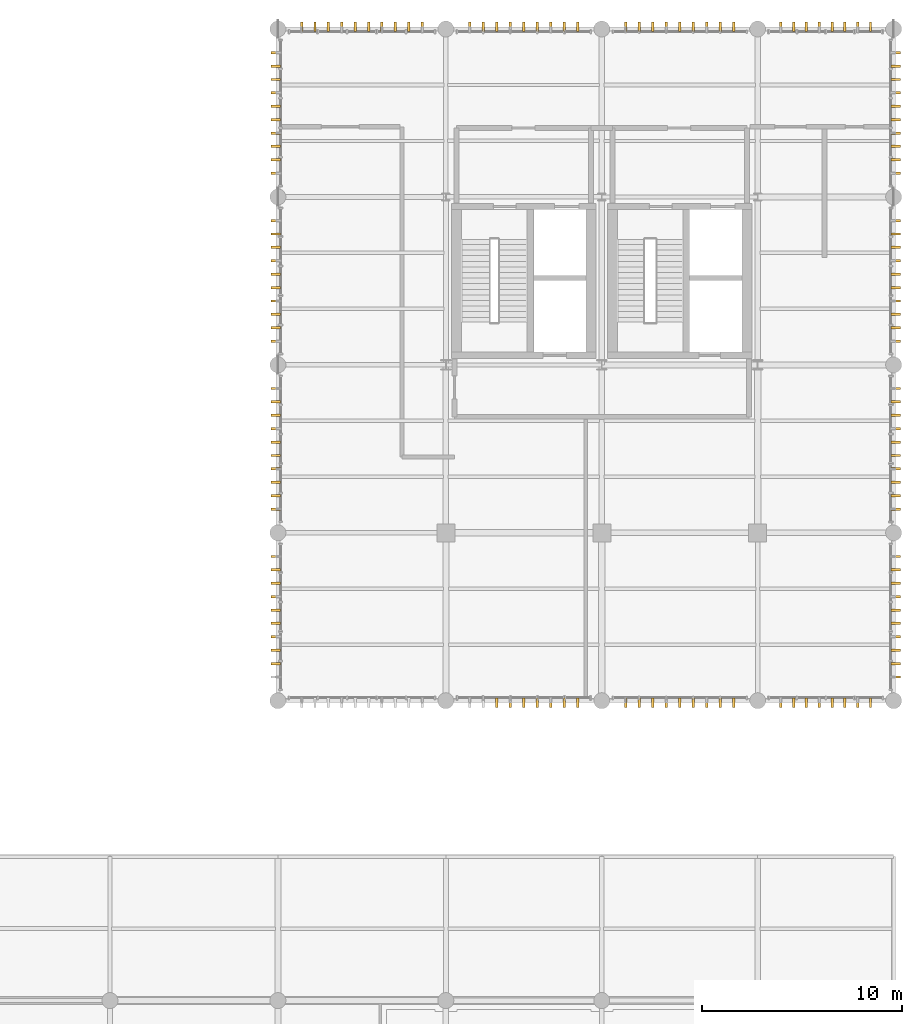
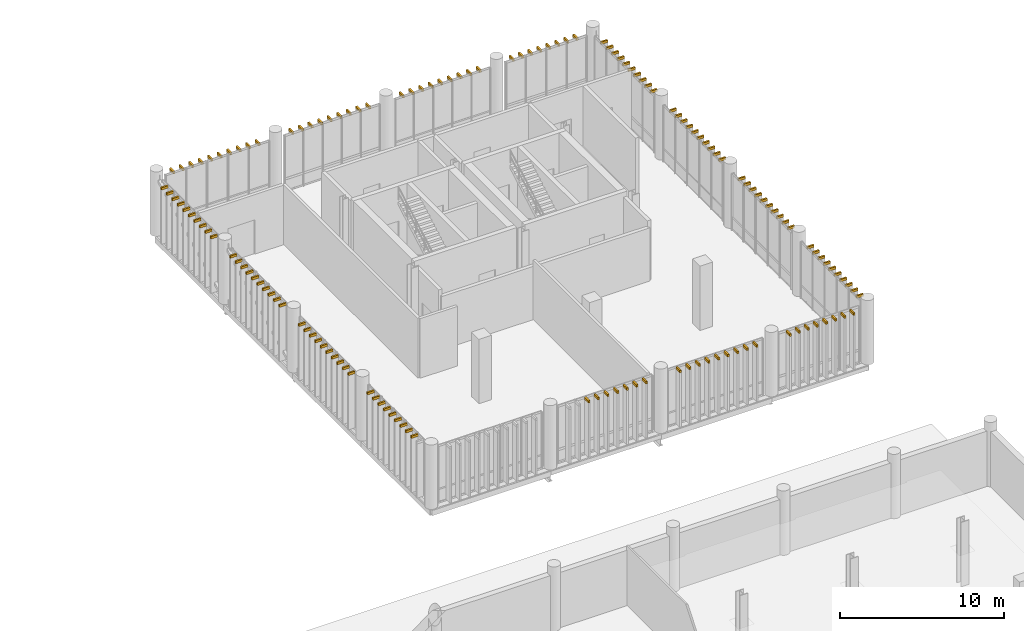
# One storey, part 109 of 109: 139 shading devices.
"""IFC4 building model written with IfcOpenShell, lengths in metres."""

from ifc_helpers import new_model, si_unit, direction, frame, origin_with_axes, origin_2d_with_axis, place, context, subcontext, project, spatial, rectangle, extrude, material, type_object, element, save


model = new_model("IFC4")

# Units and contexts
model_context = context("Model", 3, precision=1e-05, world=origin_with_axes(), true_north=direction((0.0, 1.0)))
body_context = subcontext(model_context, "Body", "Model", "MODEL_VIEW")
ifc_project = project(units=[si_unit("LENGTHUNIT", "METRE"), si_unit("AREAUNIT", "SQUARE_METRE"), si_unit("VOLUMEUNIT", "CUBIC_METRE"), si_unit("PLANEANGLEUNIT", "RADIAN"), si_unit("MASSUNIT", "GRAM", prefix="KILO"), si_unit("THERMODYNAMICTEMPERATUREUNIT", "KELVIN")], contexts=[model_context])

# Site, building, storey
site_placement = place(None, origin_with_axes())
site = spatial("IfcSite", under=ifc_project, at=site_placement, CompositionType="ELEMENT")
building_placement = place(site_placement, origin_with_axes())
building = spatial("IfcBuilding", under=site, at=building_placement, Name="Montbau Bow Law Courts", CompositionType="ELEMENT")
storey_placement = place(building_placement, frame((0.0, 0.0, 10.8), z_axis=(0.0, 0.0, 1.0), x_axis=(1.0, 0.0, 0.0)))
storey = spatial("IfcBuildingStorey", under=building, at=storey_placement, Name="L02", CompositionType="ELEMENT", Elevation=10.8)

# Shading devices
ifc_material = material(Name="Freeze-Thaw Glazed Slate-Grey Ceramic Vertical Louvre", Category="masonry")
shading_device_type = type_object("IfcShadingDeviceType", Name="SH-LVR-SLT", PredefinedType="USERDEFINED", material=ifc_material)
for number, where, z_axis, x_axis, name in (
    (1, (149.546, 69.49, 14.84), (0.0, 0.0, 1.0), (0.0, -1.0, 0.0), "LVR-L02-2610:shd_2610"),
    (2, (150.223, 69.49, 14.84), (0.0, 0.0, 1.0), (0.0, -1.0, 0.0), "LVR-L02-2611:shd_2611"),
    (3, (150.9, 69.49, 14.84), (0.0, 0.0, 1.0), (0.0, -1.0, 0.0), "LVR-L02-2612:shd_2612"),
    (4, (151.577, 69.49, 14.84), (0.0, 0.0, 1.0), (0.0, -1.0, 0.0), "LVR-L02-2613:shd_2613"),
    (5, (152.254, 69.49, 14.84), (0.0, 0.0, 1.0), (0.0, -1.0, 0.0), "LVR-L02-2614:shd_2614"),
    (6, (152.931, 69.49, 14.84), (0.0, 0.0, 1.0), (0.0, -1.0, 0.0), "LVR-L02-2615:shd_2615"),
    (7, (153.608, 69.49, 14.84), (0.0, 0.0, 1.0), (0.0, -1.0, 0.0), "LVR-L02-2616:shd_2616"),
    (8, (155.992, 69.49, 14.84), (0.0, 0.0, 1.0), (0.0, -1.0, 0.0), "LVR-L02-2617:shd_2617"),
    (9, (156.669, 69.49, 14.84), (0.0, 0.0, 1.0), (0.0, -1.0, 0.0), "LVR-L02-2618:shd_2618"),
    (10, (157.346, 69.49, 14.84), (0.0, 0.0, 1.0), (0.0, -1.0, 0.0), "LVR-L02-2619:shd_2619"),
    (11, (158.023, 69.49, 14.84), (0.0, 0.0, 1.0), (0.0, -1.0, 0.0), "LVR-L02-2620:shd_2620"),
    (12, (158.7, 69.49, 14.84), (0.0, 0.0, 1.0), (0.0, -1.0, 0.0), "LVR-L02-2621:shd_2621"),
    (13, (159.377, 69.49, 14.84), (0.0, 0.0, 1.0), (0.0, -1.0, 0.0), "LVR-L02-2622:shd_2622"),
    (14, (160.054, 69.49, 14.84), (0.0, 0.0, 1.0), (0.0, -1.0, 0.0), "LVR-L02-2623:shd_2623"),
    (15, (160.731, 69.49, 14.84), (0.0, 0.0, 1.0), (0.0, -1.0, 0.0), "LVR-L02-2624:shd_2624"),
    (16, (161.408, 69.49, 14.84), (0.0, 0.0, 1.0), (0.0, -1.0, 0.0), "LVR-L02-2625:shd_2625"),
    (17, (163.756, 69.49, 14.84), (0.0, 0.0, 1.0), (0.0, -1.0, 0.0), "LVR-L02-2626:shd_2626"),
    (18, (164.397, 69.49, 14.84), (0.0, 0.0, 1.0), (0.0, -1.0, 0.0), "LVR-L02-2627:shd_2627"),
    (19, (165.038, 69.49, 14.84), (0.0, 0.0, 1.0), (0.0, -1.0, 0.0), "LVR-L02-2628:shd_2628"),
    (20, (165.679, 69.49, 14.84), (0.0, 0.0, 1.0), (0.0, -1.0, 0.0), "LVR-L02-2629:shd_2629"),
    (21, (166.321, 69.49, 14.84), (0.0, 0.0, 1.0), (0.0, -1.0, 0.0), "LVR-L02-2630:shd_2630"),
    (22, (166.962, 69.49, 14.84), (0.0, 0.0, 1.0), (0.0, -1.0, 0.0), "LVR-L02-2631:shd_2631"),
    (23, (167.603, 69.49, 14.84), (0.0, 0.0, 1.0), (0.0, -1.0, 0.0), "LVR-L02-2632:shd_2632"),
    (24, (168.244, 69.49, 14.84), (0.0, 0.0, 1.0), (0.0, -1.0, 0.0), "LVR-L02-2633:shd_2633"),
    (25, (139.785, 103.31, 14.84), (0.0, 0.0, 1.0), (0.0, 1.0, 0.0), "LVR-L02-2634:shd_2634"),
    (26, (140.455, 103.31, 14.84), (0.0, 0.0, 1.0), (0.0, 1.0, 0.0), "LVR-L02-2635:shd_2635"),
    (27, (141.125, 103.31, 14.84), (0.0, 0.0, 1.0), (0.0, 1.0, 0.0), "LVR-L02-2636:shd_2636"),
    (28, (141.795, 103.31, 14.84), (0.0, 0.0, 1.0), (0.0, 1.0, 0.0), "LVR-L02-2637:shd_2637"),
    (29, (142.465, 103.31, 14.84), (0.0, 0.0, 1.0), (0.0, 1.0, 0.0), "LVR-L02-2638:shd_2638"),
    (30, (143.135, 103.31, 14.84), (0.0, 0.0, 1.0), (0.0, 1.0, 0.0), "LVR-L02-2639:shd_2639"),
    (31, (143.805, 103.31, 14.84), (0.0, 0.0, 1.0), (0.0, 1.0, 0.0), "LVR-L02-2640:shd_2640"),
    (32, (144.475, 103.31, 14.84), (0.0, 0.0, 1.0), (0.0, 1.0, 0.0), "LVR-L02-2641:shd_2641"),
    (33, (145.145, 103.31, 14.84), (0.0, 0.0, 1.0), (0.0, 1.0, 0.0), "LVR-L02-2642:shd_2642"),
    (34, (145.815, 103.31, 14.84), (0.0, 0.0, 1.0), (0.0, 1.0, 0.0), "LVR-L02-2643:shd_2643"),
    (35, (148.192, 103.31, 14.84), (0.0, 0.0, 1.0), (0.0, 1.0, 0.0), "LVR-L02-2644:shd_2644"),
    (36, (148.869, 103.31, 14.84), (0.0, 0.0, 1.0), (0.0, 1.0, 0.0), "LVR-L02-2645:shd_2645"),
    (37, (149.546, 103.31, 14.84), (0.0, 0.0, 1.0), (0.0, 1.0, 0.0), "LVR-L02-2646:shd_2646"),
    (38, (150.223, 103.31, 14.84), (0.0, 0.0, 1.0), (0.0, 1.0, 0.0), "LVR-L02-2647:shd_2647"),
    (39, (150.9, 103.31, 14.84), (0.0, 0.0, 1.0), (0.0, 1.0, 0.0), "LVR-L02-2648:shd_2648"),
    (40, (151.577, 103.31, 14.84), (0.0, 0.0, 1.0), (0.0, 1.0, 0.0), "LVR-L02-2649:shd_2649"),
    (41, (152.254, 103.31, 14.84), (0.0, 0.0, 1.0), (0.0, 1.0, 0.0), "LVR-L02-2650:shd_2650"),
    (42, (152.931, 103.31, 14.84), (0.0, 0.0, 1.0), (0.0, 1.0, 0.0), "LVR-L02-2651:shd_2651"),
    (43, (153.608, 103.31, 14.84), (0.0, 0.0, 1.0), (0.0, 1.0, 0.0), "LVR-L02-2652:shd_2652"),
    (44, (155.992, 103.31, 14.84), (0.0, 0.0, 1.0), (0.0, 1.0, 0.0), "LVR-L02-2653:shd_2653"),
    (45, (156.669, 103.31, 14.84), (0.0, 0.0, 1.0), (0.0, 1.0, 0.0), "LVR-L02-2654:shd_2654"),
    (46, (157.346, 103.31, 14.84), (0.0, 0.0, 1.0), (0.0, 1.0, 0.0), "LVR-L02-2655:shd_2655"),
    (47, (158.023, 103.31, 14.84), (0.0, 0.0, 1.0), (0.0, 1.0, 0.0), "LVR-L02-2656:shd_2656"),
    (48, (158.7, 103.31, 14.84), (0.0, 0.0, 1.0), (0.0, 1.0, 0.0), "LVR-L02-2657:shd_2657"),
    (49, (159.377, 103.31, 14.84), (0.0, 0.0, 1.0), (0.0, 1.0, 0.0), "LVR-L02-2658:shd_2658"),
    (50, (160.054, 103.31, 14.84), (0.0, 0.0, 1.0), (0.0, 1.0, 0.0), "LVR-L02-2659:shd_2659"),
    (51, (160.731, 103.31, 14.84), (0.0, 0.0, 1.0), (0.0, 1.0, 0.0), "LVR-L02-2660:shd_2660"),
    (52, (161.408, 103.31, 14.84), (0.0, 0.0, 1.0), (0.0, 1.0, 0.0), "LVR-L02-2661:shd_2661"),
    (53, (163.756, 103.31, 14.84), (0.0, 0.0, 1.0), (0.0, 1.0, 0.0), "LVR-L02-2662:shd_2662"),
    (54, (164.397, 103.31, 14.84), (0.0, 0.0, 1.0), (0.0, 1.0, 0.0), "LVR-L02-2663:shd_2663"),
    (55, (165.038, 103.31, 14.84), (0.0, 0.0, 1.0), (0.0, 1.0, 0.0), "LVR-L02-2664:shd_2664"),
    (56, (165.679, 103.31, 14.84), (0.0, 0.0, 1.0), (0.0, 1.0, 0.0), "LVR-L02-2665:shd_2665"),
    (57, (166.321, 103.31, 14.84), (0.0, 0.0, 1.0), (0.0, 1.0, 0.0), "LVR-L02-2666:shd_2666"),
    (58, (166.962, 103.31, 14.84), (0.0, 0.0, 1.0), (0.0, 1.0, 0.0), "LVR-L02-2667:shd_2667"),
    (59, (167.603, 103.31, 14.84), (0.0, 0.0, 1.0), (0.0, 1.0, 0.0), "LVR-L02-2668:shd_2668"),
    (60, (168.244, 103.31, 14.84), (0.0, 0.0, 1.0), (0.0, 1.0, 0.0), "LVR-L02-2669:shd_2669"),
    (61, (138.49, 71.455, 14.84), (0.0, 0.0, 1.0), (-1.0, 0.0, 0.0), "LVR-L02-2671:shd_2671"),
    (62, (138.49, 72.125, 14.84), (0.0, 0.0, 1.0), (-1.0, 0.0, 0.0), "LVR-L02-2672:shd_2672"),
    (63, (138.49, 72.795, 14.84), (0.0, 0.0, 1.0), (-1.0, 0.0, 0.0), "LVR-L02-2673:shd_2673"),
    (64, (138.49, 73.465, 14.84), (0.0, 0.0, 1.0), (-1.0, 0.0, 0.0), "LVR-L02-2674:shd_2674"),
    (65, (138.49, 74.135, 14.84), (0.0, 0.0, 1.0), (-1.0, 0.0, 0.0), "LVR-L02-2675:shd_2675"),
    (66, (138.49, 74.805, 14.84), (0.0, 0.0, 1.0), (-1.0, 0.0, 0.0), "LVR-L02-2676:shd_2676"),
    (67, (138.49, 75.475, 14.84), (0.0, 0.0, 1.0), (-1.0, 0.0, 0.0), "LVR-L02-2677:shd_2677"),
    (68, (138.49, 76.145, 14.84), (0.0, 0.0, 1.0), (-1.0, 0.0, 0.0), "LVR-L02-2678:shd_2678"),
    (69, (138.49, 76.815, 14.84), (0.0, 0.0, 1.0), (-1.0, 0.0, 0.0), "LVR-L02-2679:shd_2679"),
    (70, (138.49, 79.185, 14.84), (0.0, 0.0, 1.0), (-1.0, 0.0, 0.0), "LVR-L02-2680:shd_2680"),
    (71, (138.49, 79.855, 14.84), (0.0, 0.0, 1.0), (-1.0, 0.0, 0.0), "LVR-L02-2681:shd_2681"),
    (72, (138.49, 80.525, 14.84), (0.0, 0.0, 1.0), (-1.0, 0.0, 0.0), "LVR-L02-2682:shd_2682"),
    (73, (138.49, 81.195, 14.84), (0.0, 0.0, 1.0), (-1.0, 0.0, 0.0), "LVR-L02-2683:shd_2683"),
    (74, (138.49, 81.865, 14.84), (0.0, 0.0, 1.0), (-1.0, 0.0, 0.0), "LVR-L02-2684:shd_2684"),
    (75, (138.49, 82.535, 14.84), (0.0, 0.0, 1.0), (-1.0, 0.0, 0.0), "LVR-L02-2685:shd_2685"),
    (76, (138.49, 83.205, 14.84), (0.0, 0.0, 1.0), (-1.0, 0.0, 0.0), "LVR-L02-2686:shd_2686"),
    (77, (138.49, 83.875, 14.84), (0.0, 0.0, 1.0), (-1.0, 0.0, 0.0), "LVR-L02-2687:shd_2687"),
    (78, (138.49, 84.545, 14.84), (0.0, 0.0, 1.0), (-1.0, 0.0, 0.0), "LVR-L02-2688:shd_2688"),
    (79, (138.49, 85.215, 14.84), (0.0, 0.0, 1.0), (-1.0, 0.0, 0.0), "LVR-L02-2689:shd_2689"),
    (80, (138.49, 87.585, 14.84), (0.0, 0.0, 1.0), (-1.0, 0.0, 0.0), "LVR-L02-2690:shd_2690"),
    (81, (138.49, 88.255, 14.84), (0.0, 0.0, 1.0), (-1.0, 0.0, 0.0), "LVR-L02-2691:shd_2691"),
    (82, (138.49, 88.925, 14.84), (0.0, 0.0, 1.0), (-1.0, 0.0, 0.0), "LVR-L02-2692:shd_2692"),
    (83, (138.49, 89.595, 14.84), (0.0, 0.0, 1.0), (-1.0, 0.0, 0.0), "LVR-L02-2693:shd_2693"),
    (84, (138.49, 90.265, 14.84), (0.0, 0.0, 1.0), (-1.0, 0.0, 0.0), "LVR-L02-2694:shd_2694"),
    (85, (138.49, 90.935, 14.84), (0.0, 0.0, 1.0), (-1.0, 0.0, 0.0), "LVR-L02-2695:shd_2695"),
    (86, (138.49, 91.605, 14.84), (0.0, 0.0, 1.0), (-1.0, 0.0, 0.0), "LVR-L02-2696:shd_2696"),
    (87, (138.49, 92.275, 14.84), (0.0, 0.0, 1.0), (-1.0, 0.0, 0.0), "LVR-L02-2697:shd_2697"),
    (88, (138.49, 92.945, 14.84), (0.0, 0.0, 1.0), (-1.0, 0.0, 0.0), "LVR-L02-2698:shd_2698"),
    (89, (138.49, 93.615, 14.84), (0.0, 0.0, 1.0), (-1.0, 0.0, 0.0), "LVR-L02-2699:shd_2699"),
    (90, (138.49, 95.985, 14.84), (0.0, 0.0, 1.0), (-1.0, 0.0, 0.0), "LVR-L02-2700:shd_2700"),
    (91, (138.49, 96.655, 14.84), (0.0, 0.0, 1.0), (-1.0, 0.0, 0.0), "LVR-L02-2701:shd_2701"),
    (92, (138.49, 97.325, 14.84), (0.0, 0.0, 1.0), (-1.0, 0.0, 0.0), "LVR-L02-2702:shd_2702"),
    (93, (138.49, 97.995, 14.84), (0.0, 0.0, 1.0), (-1.0, 0.0, 0.0), "LVR-L02-2703:shd_2703"),
    (94, (138.49, 98.665, 14.84), (0.0, 0.0, 1.0), (-1.0, 0.0, 0.0), "LVR-L02-2704:shd_2704"),
    (95, (138.49, 99.335, 14.84), (0.0, 0.0, 1.0), (-1.0, 0.0, 0.0), "LVR-L02-2705:shd_2705"),
    (96, (138.49, 100.005, 14.84), (0.0, 0.0, 1.0), (-1.0, 0.0, 0.0), "LVR-L02-2706:shd_2706"),
    (97, (138.49, 100.675, 14.84), (0.0, 0.0, 1.0), (-1.0, 0.0, 0.0), "LVR-L02-2707:shd_2707"),
    (98, (138.49, 101.345, 14.84), (0.0, 0.0, 1.0), (-1.0, 0.0, 0.0), "LVR-L02-2708:shd_2708"),
    (99, (138.49, 102.015, 14.84), (0.0, 0.0, 1.0), (-1.0, 0.0, 0.0), "LVR-L02-2709:shd_2709"),
    (100, (169.51, 70.785, 14.84), (0.0, 0.0, 1.0), (1.0, 0.0, 0.0), "LVR-L02-2710:shd_2710"),
    (101, (169.51, 71.455, 14.84), (0.0, 0.0, 1.0), (1.0, 0.0, 0.0), "LVR-L02-2711:shd_2711"),
    (102, (169.51, 72.125, 14.84), (0.0, 0.0, 1.0), (1.0, 0.0, 0.0), "LVR-L02-2712:shd_2712"),
    (103, (169.51, 72.795, 14.84), (0.0, 0.0, 1.0), (1.0, 0.0, 0.0), "LVR-L02-2713:shd_2713"),
    (104, (169.51, 73.465, 14.84), (0.0, 0.0, 1.0), (1.0, 0.0, 0.0), "LVR-L02-2714:shd_2714"),
    (105, (169.51, 74.135, 14.84), (0.0, 0.0, 1.0), (1.0, 0.0, 0.0), "LVR-L02-2715:shd_2715"),
    (106, (169.51, 74.805, 14.84), (0.0, 0.0, 1.0), (1.0, 0.0, 0.0), "LVR-L02-2716:shd_2716"),
    (107, (169.51, 75.475, 14.84), (0.0, 0.0, 1.0), (1.0, 0.0, 0.0), "LVR-L02-2717:shd_2717"),
    (108, (169.51, 76.145, 14.84), (0.0, 0.0, 1.0), (1.0, 0.0, 0.0), "LVR-L02-2718:shd_2718"),
    (109, (169.51, 76.815, 14.84), (0.0, 0.0, 1.0), (1.0, 0.0, 0.0), "LVR-L02-2719:shd_2719"),
    (110, (169.51, 79.185, 14.84), (0.0, 0.0, 1.0), (1.0, 0.0, 0.0), "LVR-L02-2720:shd_2720"),
    (111, (169.51, 79.855, 14.84), (0.0, 0.0, 1.0), (1.0, 0.0, 0.0), "LVR-L02-2721:shd_2721"),
    (112, (169.51, 80.525, 14.84), (0.0, 0.0, 1.0), (1.0, 0.0, 0.0), "LVR-L02-2722:shd_2722"),
    (113, (169.51, 81.195, 14.84), (0.0, 0.0, 1.0), (1.0, 0.0, 0.0), "LVR-L02-2723:shd_2723"),
    (114, (169.51, 81.865, 14.84), (0.0, 0.0, 1.0), (1.0, 0.0, 0.0), "LVR-L02-2724:shd_2724"),
    (115, (169.51, 82.535, 14.84), (0.0, 0.0, 1.0), (1.0, 0.0, 0.0), "LVR-L02-2725:shd_2725"),
    (116, (169.51, 83.205, 14.84), (0.0, 0.0, 1.0), (1.0, 0.0, 0.0), "LVR-L02-2726:shd_2726"),
    (117, (169.51, 83.875, 14.84), (0.0, 0.0, 1.0), (1.0, 0.0, 0.0), "LVR-L02-2727:shd_2727"),
    (118, (169.51, 84.545, 14.84), (0.0, 0.0, 1.0), (1.0, 0.0, 0.0), "LVR-L02-2728:shd_2728"),
    (119, (169.51, 85.215, 14.84), (0.0, 0.0, 1.0), (1.0, 0.0, 0.0), "LVR-L02-2729:shd_2729"),
    (120, (169.51, 87.585, 14.84), (0.0, 0.0, 1.0), (1.0, 0.0, 0.0), "LVR-L02-2730:shd_2730"),
    (121, (169.51, 88.255, 14.84), (0.0, 0.0, 1.0), (1.0, 0.0, 0.0), "LVR-L02-2731:shd_2731"),
    (122, (169.51, 88.925, 14.84), (0.0, 0.0, 1.0), (1.0, 0.0, 0.0), "LVR-L02-2732:shd_2732"),
    (123, (169.51, 89.595, 14.84), (0.0, 0.0, 1.0), (1.0, 0.0, 0.0), "LVR-L02-2733:shd_2733"),
    (124, (169.51, 90.265, 14.84), (0.0, 0.0, 1.0), (1.0, 0.0, 0.0), "LVR-L02-2734:shd_2734"),
    (125, (169.51, 90.935, 14.84), (0.0, 0.0, 1.0), (1.0, 0.0, 0.0), "LVR-L02-2735:shd_2735"),
    (126, (169.51, 91.605, 14.84), (0.0, 0.0, 1.0), (1.0, 0.0, 0.0), "LVR-L02-2736:shd_2736"),
    (127, (169.51, 92.275, 14.84), (0.0, 0.0, 1.0), (1.0, 0.0, 0.0), "LVR-L02-2737:shd_2737"),
    (128, (169.51, 92.945, 14.84), (0.0, 0.0, 1.0), (1.0, 0.0, 0.0), "LVR-L02-2738:shd_2738"),
    (129, (169.51, 93.615, 14.84), (0.0, 0.0, 1.0), (1.0, 0.0, 0.0), "LVR-L02-2739:shd_2739"),
    (130, (169.51, 95.985, 14.84), (0.0, 0.0, 1.0), (1.0, 0.0, 0.0), "LVR-L02-2740:shd_2740"),
    (131, (169.51, 96.655, 14.84), (0.0, 0.0, 1.0), (1.0, 0.0, 0.0), "LVR-L02-2741:shd_2741"),
    (132, (169.51, 97.325, 14.84), (0.0, 0.0, 1.0), (1.0, 0.0, 0.0), "LVR-L02-2742:shd_2742"),
    (133, (169.51, 97.995, 14.84), (0.0, 0.0, 1.0), (1.0, 0.0, 0.0), "LVR-L02-2743:shd_2743"),
    (134, (169.51, 98.665, 14.84), (0.0, 0.0, 1.0), (1.0, 0.0, 0.0), "LVR-L02-2744:shd_2744"),
    (135, (169.51, 99.335, 14.84), (0.0, 0.0, 1.0), (1.0, 0.0, 0.0), "LVR-L02-2745:shd_2745"),
    (136, (169.51, 100.005, 14.84), (0.0, 0.0, 1.0), (1.0, 0.0, 0.0), "LVR-L02-2746:shd_2746"),
    (137, (169.51, 100.675, 14.84), (0.0, 0.0, 1.0), (1.0, 0.0, 0.0), "LVR-L02-2747:shd_2747"),
    (138, (169.51, 101.345, 14.84), (0.0, 0.0, 1.0), (1.0, 0.0, 0.0), "LVR-L02-2748:shd_2748"),
    (139, (169.51, 102.015, 14.84), (0.0, 0.0, 1.0), (1.0, 0.0, 0.0), "LVR-L02-2749:shd_2749"),
):
    element("IfcShadingDevice", number, at=place(None, frame(where, z_axis=z_axis, x_axis=x_axis)), inside=storey, type_object=shading_device_type, Name=name, ObjectType="LOUVRE", PredefinedType="USERDEFINED", context=body_context, shape_type="SweptSolid", body=[
        extrude(rectangle(XDim=0.48, YDim=0.12, at=origin_2d_with_axis()), origin_with_axes(), (0.0, 0.0, 1.0), 0.18),
    ])

save(model, "model.ifc")
